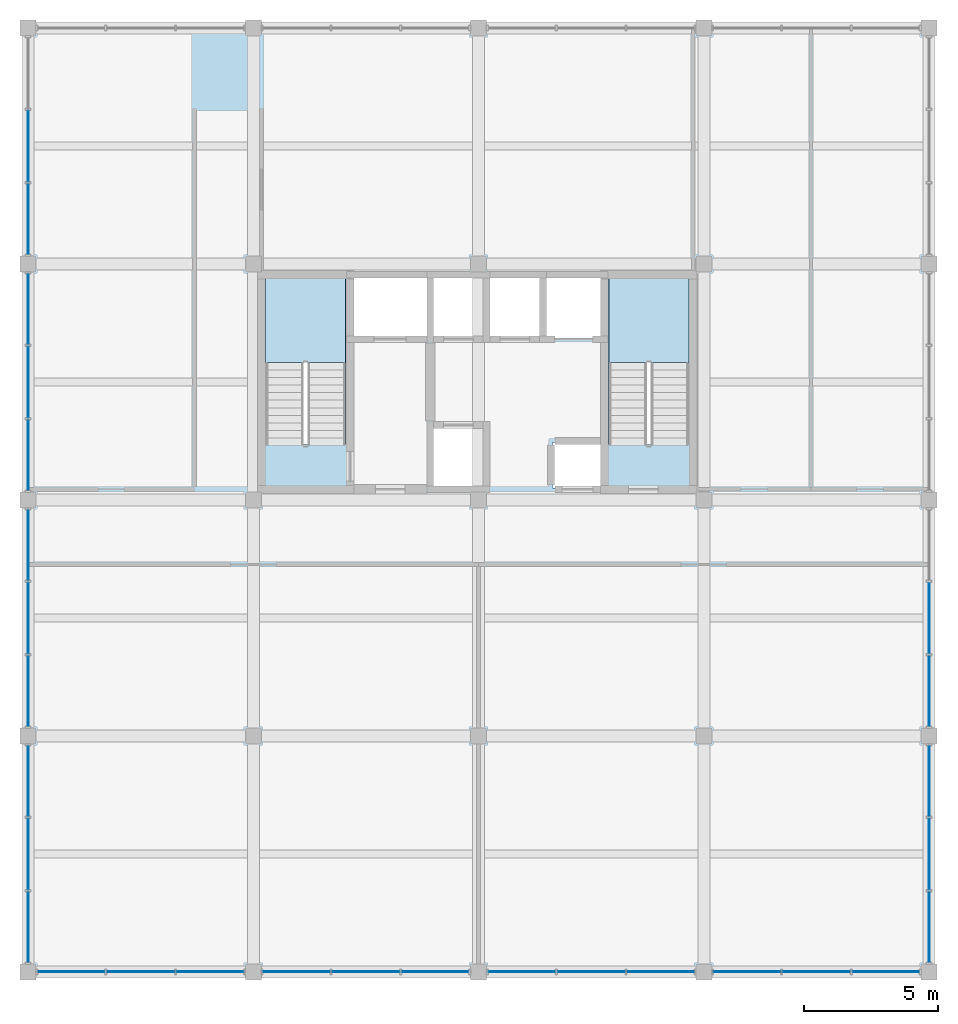
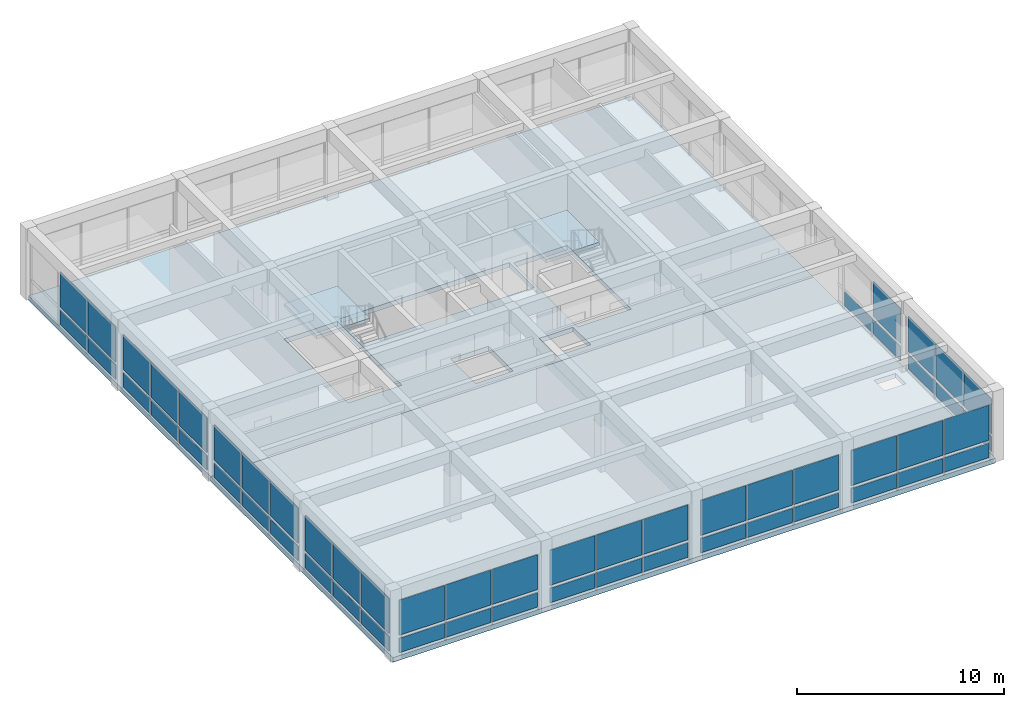
# One storey, part 8 of 14: 55 plates, 4 slabs, 12 elements without a shape of their own.
"""IFC4 building model written with IfcOpenShell, lengths in metres."""

from ifc_helpers import new_model, si_unit, direction, frame, origin, origin_2d, place, context, subcontext, project, spatial, polyline, rectangle, outline, extrude, material, layer, layer_set, type_object, element, aggregate, save


model = new_model("IFC4")

# Units and contexts
model_context = context("Model", 3, precision=1e-05, world=origin(), true_north=direction((0.0, 1.0)))
body_context = subcontext(model_context, "Body", "Model", "MODEL_VIEW")
ifc_project = project(units=[si_unit("LENGTHUNIT", "METRE"), si_unit("AREAUNIT", "SQUARE_METRE"), si_unit("VOLUMEUNIT", "CUBIC_METRE"), si_unit("PLANEANGLEUNIT", "RADIAN"), si_unit("MASSUNIT", "GRAM", prefix="KILO")], contexts=[model_context])

# Site, building, storey
site_placement = place(None, origin())
site = spatial("IfcSite", under=ifc_project, at=site_placement, CompositionType="ELEMENT")
building_placement = place(site_placement, origin())
building = spatial("IfcBuilding", under=site, at=building_placement, Name="Kemercrest Conservatory and Botanical Centre", CompositionType="ELEMENT")
storey_placement = place(building_placement, frame((0.0, 0.0, 63.800048828125)))
storey = spatial("IfcBuildingStorey", under=building, at=storey_placement, Name="L16", CompositionType="ELEMENT", Elevation=63.800048828125)

# Curtain wall, plates
ifc_material_1 = material(Name="Thermally broken aluminium and triple low-e glazing", Category="aluminium")
curtain_wall_type_1 = type_object("IfcCurtainWallType", Name="CW-12", PredefinedType="USERDEFINED", material=ifc_material_1)
curtain_wall_1_placement = place(storey_placement, origin())
curtain_wall_1 = element("IfcCurtainWall", 1, at=curtain_wall_1_placement, inside=storey, type_object=curtain_wall_type_1, Name="Unitised curtain wall CW-12 (CW:L16:V4-161)", ObjectType="UNITISED CURTAIN WALL", PredefinedType="USERDEFINED")
ifc_material_2 = material(Name="Triple low-e argon insulated glazing unit", Category="glass")
ifc_layer_1 = layer(ifc_material_2, 0.035888671875)
ifc_layer_set_1 = layer_set([ifc_layer_1], Name="Triple low-e argon insulated glazing unit")
plate_type = type_object("IfcPlateType", Name="CW-PNL036", PredefinedType="CURTAIN_PANEL", material=ifc_layer_set_1)
plate_1_placement = place(storey_placement, frame((144.012939453125, 87.199951171875, 0.179931640625), z_axis=(0.0, 0.0, 1.0), x_axis=(1.0, 0.0, 0.0)))
plate_1 = element("IfcPlate", 2, at=plate_1_placement, type_object=plate_type, Name="CW-12 panel 1.1", PredefinedType="CURTAIN_PANEL", context=body_context, shape_type="SweptSolid", body=[
    extrude(rectangle(XDim=2.505859375, YDim=0.035888671875, at=origin_2d()), origin(), (0.0, 0.0, 1.0), 0.85009765625),
])
plate_2_placement = place(storey_placement, frame((144.012939453125, 87.199951171875, 1.2099609375), z_axis=(0.0, 0.0, 1.0), x_axis=(1.0, 0.0, 0.0)))
plate_2 = element("IfcPlate", 3, at=plate_2_placement, type_object=plate_type, Name="CW-12 panel 1.2", PredefinedType="CURTAIN_PANEL", context=body_context, shape_type="SweptSolid", body=[
    extrude(rectangle(XDim=2.505859375, YDim=0.035888671875, at=origin_2d()), origin(), (0.0, 0.0, 1.0), 2.06494140625),
])
plate_3_placement = place(storey_placement, frame((146.60009765625, 87.199951171875, 0.179931640625), z_axis=(0.0, 0.0, 1.0), x_axis=(1.0, 0.0, 0.0)))
plate_3 = element("IfcPlate", 4, at=plate_3_placement, type_object=plate_type, Name="CW-12 panel 2.1", PredefinedType="CURTAIN_PANEL", context=body_context, shape_type="SweptSolid", body=[
    extrude(rectangle(XDim=2.538330078125, YDim=0.035888671875, at=origin_2d()), origin(), (0.0, 0.0, 1.0), 0.85009765625),
])
plate_4_placement = place(storey_placement, frame((146.60009765625, 87.199951171875, 1.2099609375), z_axis=(0.0, 0.0, 1.0), x_axis=(1.0, 0.0, 0.0)))
plate_4 = element("IfcPlate", 5, at=plate_4_placement, type_object=plate_type, Name="CW-12 panel 2.2", PredefinedType="CURTAIN_PANEL", context=body_context, shape_type="SweptSolid", body=[
    extrude(rectangle(XDim=2.538330078125, YDim=0.035888671875, at=origin_2d()), origin(), (0.0, 0.0, 1.0), 2.06494140625),
])
plate_5_placement = place(storey_placement, frame((149.18701171875, 87.199951171875, 0.179931640625), z_axis=(0.0, 0.0, 1.0), x_axis=(1.0, 0.0, 0.0)))
plate_5 = element("IfcPlate", 6, at=plate_5_placement, type_object=plate_type, Name="CW-12 panel 3.1", PredefinedType="CURTAIN_PANEL", context=body_context, shape_type="SweptSolid", body=[
    extrude(rectangle(XDim=2.505859375, YDim=0.035888671875, at=origin_2d()), origin(), (0.0, 0.0, 1.0), 0.85009765625),
])
plate_6_placement = place(storey_placement, frame((149.18701171875, 87.199951171875, 1.2099609375), z_axis=(0.0, 0.0, 1.0), x_axis=(1.0, 0.0, 0.0)))
plate_6 = element("IfcPlate", 7, at=plate_6_placement, type_object=plate_type, Name="CW-12 panel 3.2", PredefinedType="CURTAIN_PANEL", context=body_context, shape_type="SweptSolid", body=[
    extrude(rectangle(XDim=2.505859375, YDim=0.035888671875, at=origin_2d()), origin(), (0.0, 0.0, 1.0), 2.06494140625),
])
aggregate(curtain_wall_1, [plate_1, plate_2, plate_3, plate_4, plate_5, plate_6])

curtain_wall_type_2 = type_object("IfcCurtainWallType", Name="CW-13", PredefinedType="USERDEFINED", material=ifc_material_1)
curtain_wall_2_placement = place(storey_placement, origin())
curtain_wall_2 = element("IfcCurtainWall", 8, at=curtain_wall_2_placement, inside=storey, type_object=curtain_wall_type_2, Name="Unitised curtain wall CW-13 (CW:L16:V4-162)", ObjectType="UNITISED CURTAIN WALL", PredefinedType="USERDEFINED")
plate_7_placement = place(storey_placement, frame((152.412841796875, 87.199951171875, 0.179931640625), z_axis=(0.0, 0.0, 1.0), x_axis=(1.0, 0.0, 0.0)))
plate_7 = element("IfcPlate", 9, at=plate_7_placement, type_object=plate_type, Name="CW-13 panel 1.1", PredefinedType="CURTAIN_PANEL", context=body_context, shape_type="SweptSolid", body=[
    extrude(rectangle(XDim=2.505859375, YDim=0.035888671875, at=origin_2d()), origin(), (0.0, 0.0, 1.0), 0.85009765625),
])
plate_8_placement = place(storey_placement, frame((152.412841796875, 87.199951171875, 1.2099609375), z_axis=(0.0, 0.0, 1.0), x_axis=(1.0, 0.0, 0.0)))
plate_8 = element("IfcPlate", 10, at=plate_8_placement, type_object=plate_type, Name="CW-13 panel 1.2", PredefinedType="CURTAIN_PANEL", context=body_context, shape_type="SweptSolid", body=[
    extrude(rectangle(XDim=2.505859375, YDim=0.035888671875, at=origin_2d()), origin(), (0.0, 0.0, 1.0), 2.06494140625),
])
plate_9_placement = place(storey_placement, frame((155.0, 87.199951171875, 0.179931640625), z_axis=(0.0, 0.0, 1.0), x_axis=(1.0, 0.0, 0.0)))
plate_9 = element("IfcPlate", 11, at=plate_9_placement, type_object=plate_type, Name="CW-13 panel 2.1", PredefinedType="CURTAIN_PANEL", context=body_context, shape_type="SweptSolid", body=[
    extrude(rectangle(XDim=2.538330078125, YDim=0.035888671875, at=origin_2d()), origin(), (0.0, 0.0, 1.0), 0.85009765625),
])
plate_10_placement = place(storey_placement, frame((155.0, 87.199951171875, 1.2099609375), z_axis=(0.0, 0.0, 1.0), x_axis=(1.0, 0.0, 0.0)))
plate_10 = element("IfcPlate", 12, at=plate_10_placement, type_object=plate_type, Name="CW-13 panel 2.2", PredefinedType="CURTAIN_PANEL", context=body_context, shape_type="SweptSolid", body=[
    extrude(rectangle(XDim=2.538330078125, YDim=0.035888671875, at=origin_2d()), origin(), (0.0, 0.0, 1.0), 2.06494140625),
])
plate_11_placement = place(storey_placement, frame((157.587158203125, 87.199951171875, 0.179931640625), z_axis=(0.0, 0.0, 1.0), x_axis=(1.0, 0.0, 0.0)))
plate_11 = element("IfcPlate", 13, at=plate_11_placement, type_object=plate_type, Name="CW-13 panel 3.1", PredefinedType="CURTAIN_PANEL", context=body_context, shape_type="SweptSolid", body=[
    extrude(rectangle(XDim=2.505859375, YDim=0.035888671875, at=origin_2d()), origin(), (0.0, 0.0, 1.0), 0.85009765625),
])
plate_12_placement = place(storey_placement, frame((157.587158203125, 87.199951171875, 1.2099609375), z_axis=(0.0, 0.0, 1.0), x_axis=(1.0, 0.0, 0.0)))
plate_12 = element("IfcPlate", 14, at=plate_12_placement, type_object=plate_type, Name="CW-13 panel 3.2", PredefinedType="CURTAIN_PANEL", context=body_context, shape_type="SweptSolid", body=[
    extrude(rectangle(XDim=2.505859375, YDim=0.035888671875, at=origin_2d()), origin(), (0.0, 0.0, 1.0), 2.06494140625),
])
aggregate(curtain_wall_2, [plate_7, plate_8, plate_9, plate_10, plate_11, plate_12])

curtain_wall_type_3 = type_object("IfcCurtainWallType", Name="CW-14", PredefinedType="USERDEFINED", material=ifc_material_1)
curtain_wall_3_placement = place(storey_placement, origin())
curtain_wall_3 = element("IfcCurtainWall", 15, at=curtain_wall_3_placement, inside=storey, type_object=curtain_wall_type_3, Name="Unitised curtain wall CW-14 (CW:L16:V4-163)", ObjectType="UNITISED CURTAIN WALL", PredefinedType="USERDEFINED")
plate_13_placement = place(storey_placement, frame((160.81298828125, 87.199951171875, 0.179931640625), z_axis=(0.0, 0.0, 1.0), x_axis=(1.0, 0.0, 0.0)))
plate_13 = element("IfcPlate", 16, at=plate_13_placement, type_object=plate_type, Name="CW-14 panel 1.1", PredefinedType="CURTAIN_PANEL", context=body_context, shape_type="SweptSolid", body=[
    extrude(rectangle(XDim=2.505859375, YDim=0.035888671875, at=origin_2d()), origin(), (0.0, 0.0, 1.0), 0.85009765625),
])
plate_14_placement = place(storey_placement, frame((160.81298828125, 87.199951171875, 1.2099609375), z_axis=(0.0, 0.0, 1.0), x_axis=(1.0, 0.0, 0.0)))
plate_14 = element("IfcPlate", 17, at=plate_14_placement, type_object=plate_type, Name="CW-14 panel 1.2", PredefinedType="CURTAIN_PANEL", context=body_context, shape_type="SweptSolid", body=[
    extrude(rectangle(XDim=2.505859375, YDim=0.035888671875, at=origin_2d()), origin(), (0.0, 0.0, 1.0), 2.06494140625),
])
plate_15_placement = place(storey_placement, frame((163.39990234375, 87.199951171875, 0.179931640625), z_axis=(0.0, 0.0, 1.0), x_axis=(1.0, 0.0, 0.0)))
plate_15 = element("IfcPlate", 18, at=plate_15_placement, type_object=plate_type, Name="CW-14 panel 2.1", PredefinedType="CURTAIN_PANEL", context=body_context, shape_type="SweptSolid", body=[
    extrude(rectangle(XDim=2.538330078125, YDim=0.035888671875, at=origin_2d()), origin(), (0.0, 0.0, 1.0), 0.85009765625),
])
plate_16_placement = place(storey_placement, frame((163.39990234375, 87.199951171875, 1.2099609375), z_axis=(0.0, 0.0, 1.0), x_axis=(1.0, 0.0, 0.0)))
plate_16 = element("IfcPlate", 19, at=plate_16_placement, type_object=plate_type, Name="CW-14 panel 2.2", PredefinedType="CURTAIN_PANEL", context=body_context, shape_type="SweptSolid", body=[
    extrude(rectangle(XDim=2.538330078125, YDim=0.035888671875, at=origin_2d()), origin(), (0.0, 0.0, 1.0), 2.06494140625),
])
plate_17_placement = place(storey_placement, frame((165.987060546875, 87.199951171875, 0.179931640625), z_axis=(0.0, 0.0, 1.0), x_axis=(1.0, 0.0, 0.0)))
plate_17 = element("IfcPlate", 20, at=plate_17_placement, type_object=plate_type, Name="CW-14 panel 3.1", PredefinedType="CURTAIN_PANEL", context=body_context, shape_type="SweptSolid", body=[
    extrude(rectangle(XDim=2.505859375, YDim=0.035888671875, at=origin_2d()), origin(), (0.0, 0.0, 1.0), 0.85009765625),
])
plate_18_placement = place(storey_placement, frame((165.987060546875, 87.199951171875, 1.2099609375), z_axis=(0.0, 0.0, 1.0), x_axis=(1.0, 0.0, 0.0)))
plate_18 = element("IfcPlate", 21, at=plate_18_placement, type_object=plate_type, Name="CW-14 panel 3.2", PredefinedType="CURTAIN_PANEL", context=body_context, shape_type="SweptSolid", body=[
    extrude(rectangle(XDim=2.505859375, YDim=0.035888671875, at=origin_2d()), origin(), (0.0, 0.0, 1.0), 2.06494140625),
])
aggregate(curtain_wall_3, [plate_13, plate_14, plate_15, plate_16, plate_17, plate_18])

curtain_wall_type_4 = type_object("IfcCurtainWallType", Name="CW-15", PredefinedType="USERDEFINED", material=ifc_material_1)
curtain_wall_4_placement = place(storey_placement, origin())
curtain_wall_4 = element("IfcCurtainWall", 22, at=curtain_wall_4_placement, inside=storey, type_object=curtain_wall_type_4, Name="Unitised curtain wall CW-15 (CW:L16:V4-164)", ObjectType="UNITISED CURTAIN WALL", PredefinedType="USERDEFINED")
plate_19_placement = place(storey_placement, frame((169.212890625, 87.199951171875, 0.179931640625), z_axis=(0.0, 0.0, 1.0), x_axis=(1.0, 0.0, 0.0)))
plate_19 = element("IfcPlate", 23, at=plate_19_placement, type_object=plate_type, Name="CW-15 panel 1.1", PredefinedType="CURTAIN_PANEL", context=body_context, shape_type="SweptSolid", body=[
    extrude(rectangle(XDim=2.505859375, YDim=0.035888671875, at=origin_2d()), origin(), (0.0, 0.0, 1.0), 0.85009765625),
])
plate_20_placement = place(storey_placement, frame((169.212890625, 87.199951171875, 1.2099609375), z_axis=(0.0, 0.0, 1.0), x_axis=(1.0, 0.0, 0.0)))
plate_20 = element("IfcPlate", 24, at=plate_20_placement, type_object=plate_type, Name="CW-15 panel 1.2", PredefinedType="CURTAIN_PANEL", context=body_context, shape_type="SweptSolid", body=[
    extrude(rectangle(XDim=2.505859375, YDim=0.035888671875, at=origin_2d()), origin(), (0.0, 0.0, 1.0), 2.06494140625),
])
plate_21_placement = place(storey_placement, frame((171.800048828125, 87.199951171875, 0.179931640625), z_axis=(0.0, 0.0, 1.0), x_axis=(1.0, 0.0, 0.0)))
plate_21 = element("IfcPlate", 25, at=plate_21_placement, type_object=plate_type, Name="CW-15 panel 2.1", PredefinedType="CURTAIN_PANEL", context=body_context, shape_type="SweptSolid", body=[
    extrude(rectangle(XDim=2.538330078125, YDim=0.035888671875, at=origin_2d()), origin(), (0.0, 0.0, 1.0), 0.85009765625),
])
plate_22_placement = place(storey_placement, frame((171.800048828125, 87.199951171875, 1.2099609375), z_axis=(0.0, 0.0, 1.0), x_axis=(1.0, 0.0, 0.0)))
plate_22 = element("IfcPlate", 26, at=plate_22_placement, type_object=plate_type, Name="CW-15 panel 2.2", PredefinedType="CURTAIN_PANEL", context=body_context, shape_type="SweptSolid", body=[
    extrude(rectangle(XDim=2.538330078125, YDim=0.035888671875, at=origin_2d()), origin(), (0.0, 0.0, 1.0), 2.06494140625),
])
plate_23_placement = place(storey_placement, frame((174.386962890625, 87.199951171875, 0.179931640625), z_axis=(0.0, 0.0, 1.0), x_axis=(1.0, 0.0, 0.0)))
plate_23 = element("IfcPlate", 27, at=plate_23_placement, type_object=plate_type, Name="CW-15 panel 3.1", PredefinedType="CURTAIN_PANEL", context=body_context, shape_type="SweptSolid", body=[
    extrude(rectangle(XDim=2.505859375, YDim=0.035888671875, at=origin_2d()), origin(), (0.0, 0.0, 1.0), 0.85009765625),
])
plate_24_placement = place(storey_placement, frame((174.386962890625, 87.199951171875, 1.2099609375), z_axis=(0.0, 0.0, 1.0), x_axis=(1.0, 0.0, 0.0)))
plate_24 = element("IfcPlate", 28, at=plate_24_placement, type_object=plate_type, Name="CW-15 panel 3.2", PredefinedType="CURTAIN_PANEL", context=body_context, shape_type="SweptSolid", body=[
    extrude(rectangle(XDim=2.505859375, YDim=0.035888671875, at=origin_2d()), origin(), (0.0, 0.0, 1.0), 2.06494140625),
])
aggregate(curtain_wall_4, [plate_19, plate_20, plate_21, plate_22, plate_23, plate_24])

curtain_wall_type_5 = type_object("IfcCurtainWallType", Name="CW-16", PredefinedType="USERDEFINED", material=ifc_material_1)
curtain_wall_5_placement = place(storey_placement, origin())
curtain_wall_5 = element("IfcCurtainWall", 29, at=curtain_wall_5_placement, inside=storey, type_object=curtain_wall_type_5, Name="Unitised curtain wall CW-16 (CW:L16:V4-165)", ObjectType="UNITISED CURTAIN WALL", PredefinedType="USERDEFINED")
plate_25_placement = place(storey_placement, frame((176.0, 88.879638671875, 0.179931640625), z_axis=(0.0, 0.0, 1.0), x_axis=(0.0, 1.0, 0.0)))
plate_25 = element("IfcPlate", 30, at=plate_25_placement, type_object=plate_type, Name="CW-16 panel 1.1", PredefinedType="CURTAIN_PANEL", context=body_context, shape_type="SweptSolid", body=[
    extrude(rectangle(XDim=2.63916015625, YDim=0.035888671875, at=origin_2d()), origin(), (0.0, 0.0, 1.0), 0.85009765625),
])
plate_26_placement = place(storey_placement, frame((176.0, 88.879638671875, 1.2099609375), z_axis=(0.0, 0.0, 1.0), x_axis=(0.0, 1.0, 0.0)))
plate_26 = element("IfcPlate", 31, at=plate_26_placement, type_object=plate_type, Name="CW-16 panel 1.2", PredefinedType="CURTAIN_PANEL", context=body_context, shape_type="SweptSolid", body=[
    extrude(rectangle(XDim=2.63916015625, YDim=0.035888671875, at=origin_2d()), origin(), (0.0, 0.0, 1.0), 2.06494140625),
])
plate_27_placement = place(storey_placement, frame((176.0, 91.60009765625, 0.179931640625), z_axis=(0.0, 0.0, 1.0), x_axis=(0.0, 1.0, 0.0)))
plate_27 = element("IfcPlate", 32, at=plate_27_placement, type_object=plate_type, Name="CW-16 panel 2.1", PredefinedType="CURTAIN_PANEL", context=body_context, shape_type="SweptSolid", body=[
    extrude(rectangle(XDim=2.671630859375, YDim=0.035888671875, at=origin_2d()), origin(), (0.0, 0.0, 1.0), 0.85009765625),
])
plate_28_placement = place(storey_placement, frame((176.0, 91.60009765625, 1.2099609375), z_axis=(0.0, 0.0, 1.0), x_axis=(0.0, 1.0, 0.0)))
plate_28 = element("IfcPlate", 33, at=plate_28_placement, type_object=plate_type, Name="CW-16 panel 2.2", PredefinedType="CURTAIN_PANEL", context=body_context, shape_type="SweptSolid", body=[
    extrude(rectangle(XDim=2.671630859375, YDim=0.035888671875, at=origin_2d()), origin(), (0.0, 0.0, 1.0), 2.06494140625),
])
plate_29_placement = place(storey_placement, frame((176.0, 94.3203125, 0.179931640625), z_axis=(0.0, 0.0, 1.0), x_axis=(0.0, 1.0, 0.0)))
plate_29 = element("IfcPlate", 34, at=plate_29_placement, type_object=plate_type, Name="CW-16 panel 3.1", PredefinedType="CURTAIN_PANEL", context=body_context, shape_type="SweptSolid", body=[
    extrude(rectangle(XDim=2.63916015625, YDim=0.035888671875, at=origin_2d()), origin(), (0.0, 0.0, 1.0), 0.85009765625),
])
plate_30_placement = place(storey_placement, frame((176.0, 94.3203125, 1.2099609375), z_axis=(0.0, 0.0, 1.0), x_axis=(0.0, 1.0, 0.0)))
plate_30 = element("IfcPlate", 35, at=plate_30_placement, type_object=plate_type, Name="CW-16 panel 3.2", PredefinedType="CURTAIN_PANEL", context=body_context, shape_type="SweptSolid", body=[
    extrude(rectangle(XDim=2.63916015625, YDim=0.035888671875, at=origin_2d()), origin(), (0.0, 0.0, 1.0), 2.06494140625),
])
aggregate(curtain_wall_5, [plate_25, plate_26, plate_27, plate_28, plate_29, plate_30])

curtain_wall_type_6 = type_object("IfcCurtainWallType", Name="CW-17", PredefinedType="USERDEFINED", material=ifc_material_1)
curtain_wall_6_placement = place(storey_placement, origin())
curtain_wall_6 = element("IfcCurtainWall", 36, at=curtain_wall_6_placement, inside=storey, type_object=curtain_wall_type_6, Name="Unitised curtain wall CW-17 (CW:L16:V4-166)", ObjectType="UNITISED CURTAIN WALL", PredefinedType="USERDEFINED")
plate_31_placement = place(storey_placement, frame((176.0, 97.6796875, 0.179931640625), z_axis=(0.0, 0.0, 1.0), x_axis=(0.0, 1.0, 0.0)))
plate_31 = element("IfcPlate", 37, at=plate_31_placement, type_object=plate_type, Name="CW-17 panel 1.1", PredefinedType="CURTAIN_PANEL", context=body_context, shape_type="SweptSolid", body=[
    extrude(rectangle(XDim=2.63916015625, YDim=0.035888671875, at=origin_2d()), origin(), (0.0, 0.0, 1.0), 0.85009765625),
])
plate_32_placement = place(storey_placement, frame((176.0, 97.6796875, 1.2099609375), z_axis=(0.0, 0.0, 1.0), x_axis=(0.0, 1.0, 0.0)))
plate_32 = element("IfcPlate", 38, at=plate_32_placement, type_object=plate_type, Name="CW-17 panel 1.2", PredefinedType="CURTAIN_PANEL", context=body_context, shape_type="SweptSolid", body=[
    extrude(rectangle(XDim=2.63916015625, YDim=0.035888671875, at=origin_2d()), origin(), (0.0, 0.0, 1.0), 2.06494140625),
])
plate_33_placement = place(storey_placement, frame((176.0, 100.39990234375, 0.179931640625), z_axis=(0.0, 0.0, 1.0), x_axis=(0.0, 1.0, 0.0)))
plate_33 = element("IfcPlate", 39, at=plate_33_placement, type_object=plate_type, Name="CW-17 panel 2.1", PredefinedType="CURTAIN_PANEL", context=body_context, shape_type="SweptSolid", body=[
    extrude(rectangle(XDim=2.671630859375, YDim=0.035888671875, at=origin_2d()), origin(), (0.0, 0.0, 1.0), 0.85009765625),
])
aggregate(curtain_wall_6, [plate_31, plate_32, plate_33])

curtain_wall_type_7 = type_object("IfcCurtainWallType", Name="CW-24", PredefinedType="USERDEFINED", material=ifc_material_1)
curtain_wall_7_placement = place(storey_placement, origin())
curtain_wall_7 = element("IfcCurtainWall", 40, at=curtain_wall_7_placement, inside=storey, type_object=curtain_wall_type_7, Name="Unitised curtain wall CW-24 (CW:L16:V4-173)", ObjectType="UNITISED CURTAIN WALL", PredefinedType="USERDEFINED")
plate_34_placement = place(storey_placement, frame((142.39990234375, 118.0, 0.179931640625), z_axis=(0.0, 0.0, 1.0), x_axis=(0.0, -1.0, 0.0)))
plate_34 = element("IfcPlate", 41, at=plate_34_placement, type_object=plate_type, Name="CW-24 panel 2.1", PredefinedType="CURTAIN_PANEL", context=body_context, shape_type="SweptSolid", body=[
    extrude(rectangle(XDim=2.671630859375, YDim=0.035888671875, at=origin_2d()), origin(), (0.0, 0.0, 1.0), 0.85009765625),
])
plate_35_placement = place(storey_placement, frame((142.39990234375, 118.0, 1.2099609375), z_axis=(0.0, 0.0, 1.0), x_axis=(0.0, -1.0, 0.0)))
plate_35 = element("IfcPlate", 42, at=plate_35_placement, type_object=plate_type, Name="CW-24 panel 2.2", PredefinedType="CURTAIN_PANEL", context=body_context, shape_type="SweptSolid", body=[
    extrude(rectangle(XDim=2.671630859375, YDim=0.035888671875, at=origin_2d()), origin(), (0.0, 0.0, 1.0), 2.06494140625),
])
plate_36_placement = place(storey_placement, frame((142.39990234375, 115.279541015625, 0.179931640625), z_axis=(0.0, 0.0, 1.0), x_axis=(0.0, -1.0, 0.0)))
plate_36 = element("IfcPlate", 43, at=plate_36_placement, type_object=plate_type, Name="CW-24 panel 3.1", PredefinedType="CURTAIN_PANEL", context=body_context, shape_type="SweptSolid", body=[
    extrude(rectangle(XDim=2.63916015625, YDim=0.035888671875, at=origin_2d()), origin(), (0.0, 0.0, 1.0), 0.85009765625),
])
plate_37_placement = place(storey_placement, frame((142.39990234375, 115.279541015625, 1.2099609375), z_axis=(0.0, 0.0, 1.0), x_axis=(0.0, -1.0, 0.0)))
plate_37 = element("IfcPlate", 44, at=plate_37_placement, type_object=plate_type, Name="CW-24 panel 3.2", PredefinedType="CURTAIN_PANEL", context=body_context, shape_type="SweptSolid", body=[
    extrude(rectangle(XDim=2.63916015625, YDim=0.035888671875, at=origin_2d()), origin(), (0.0, 0.0, 1.0), 2.06494140625),
])
aggregate(curtain_wall_7, [plate_34, plate_35, plate_36, plate_37])

curtain_wall_type_8 = type_object("IfcCurtainWallType", Name="CW-25", PredefinedType="USERDEFINED", material=ifc_material_1)
curtain_wall_8_placement = place(storey_placement, origin())
curtain_wall_8 = element("IfcCurtainWall", 45, at=curtain_wall_8_placement, inside=storey, type_object=curtain_wall_type_8, Name="Unitised curtain wall CW-25 (CW:L16:V4-174)", ObjectType="UNITISED CURTAIN WALL", PredefinedType="USERDEFINED")
plate_38_placement = place(storey_placement, frame((142.39990234375, 111.92041015625, 0.179931640625), z_axis=(0.0, 0.0, 1.0), x_axis=(0.0, -1.0, 0.0)))
plate_38 = element("IfcPlate", 46, at=plate_38_placement, type_object=plate_type, Name="CW-25 panel 1.1", PredefinedType="CURTAIN_PANEL", context=body_context, shape_type="SweptSolid", body=[
    extrude(rectangle(XDim=2.63916015625, YDim=0.035888671875, at=origin_2d()), origin(), (0.0, 0.0, 1.0), 0.85009765625),
])
plate_39_placement = place(storey_placement, frame((142.39990234375, 111.92041015625, 1.2099609375), z_axis=(0.0, 0.0, 1.0), x_axis=(0.0, -1.0, 0.0)))
plate_39 = element("IfcPlate", 47, at=plate_39_placement, type_object=plate_type, Name="CW-25 panel 1.2", PredefinedType="CURTAIN_PANEL", context=body_context, shape_type="SweptSolid", body=[
    extrude(rectangle(XDim=2.63916015625, YDim=0.035888671875, at=origin_2d()), origin(), (0.0, 0.0, 1.0), 2.06494140625),
])
plate_40_placement = place(storey_placement, frame((142.39990234375, 109.199951171875, 0.179931640625), z_axis=(0.0, 0.0, 1.0), x_axis=(0.0, -1.0, 0.0)))
plate_40 = element("IfcPlate", 48, at=plate_40_placement, type_object=plate_type, Name="CW-25 panel 2.1", PredefinedType="CURTAIN_PANEL", context=body_context, shape_type="SweptSolid", body=[
    extrude(rectangle(XDim=2.671630859375, YDim=0.035888671875, at=origin_2d()), origin(), (0.0, 0.0, 1.0), 0.85009765625),
])
plate_41_placement = place(storey_placement, frame((142.39990234375, 109.199951171875, 1.2099609375), z_axis=(0.0, 0.0, 1.0), x_axis=(0.0, -1.0, 0.0)))
plate_41 = element("IfcPlate", 49, at=plate_41_placement, type_object=plate_type, Name="CW-25 panel 2.2", PredefinedType="CURTAIN_PANEL", context=body_context, shape_type="SweptSolid", body=[
    extrude(rectangle(XDim=2.671630859375, YDim=0.035888671875, at=origin_2d()), origin(), (0.0, 0.0, 1.0), 2.06494140625),
])
plate_42_placement = place(storey_placement, frame((142.39990234375, 106.4794921875, 0.179931640625), z_axis=(0.0, 0.0, 1.0), x_axis=(0.0, -1.0, 0.0)))
plate_42 = element("IfcPlate", 50, at=plate_42_placement, type_object=plate_type, Name="CW-25 panel 3.1", PredefinedType="CURTAIN_PANEL", context=body_context, shape_type="SweptSolid", body=[
    extrude(rectangle(XDim=2.63916015625, YDim=0.035888671875, at=origin_2d()), origin(), (0.0, 0.0, 1.0), 0.85009765625),
])
plate_43_placement = place(storey_placement, frame((142.39990234375, 106.4794921875, 1.2099609375), z_axis=(0.0, 0.0, 1.0), x_axis=(0.0, -1.0, 0.0)))
plate_43 = element("IfcPlate", 51, at=plate_43_placement, type_object=plate_type, Name="CW-25 panel 3.2", PredefinedType="CURTAIN_PANEL", context=body_context, shape_type="SweptSolid", body=[
    extrude(rectangle(XDim=2.63916015625, YDim=0.035888671875, at=origin_2d()), origin(), (0.0, 0.0, 1.0), 2.06494140625),
])
aggregate(curtain_wall_8, [plate_38, plate_39, plate_40, plate_41, plate_42, plate_43])

curtain_wall_type_9 = type_object("IfcCurtainWallType", Name="CW-26", PredefinedType="USERDEFINED", material=ifc_material_1)
curtain_wall_9_placement = place(storey_placement, origin())
curtain_wall_9 = element("IfcCurtainWall", 52, at=curtain_wall_9_placement, inside=storey, type_object=curtain_wall_type_9, Name="Unitised curtain wall CW-26 (CW:L16:V4-175)", ObjectType="UNITISED CURTAIN WALL", PredefinedType="USERDEFINED")
plate_44_placement = place(storey_placement, frame((142.39990234375, 103.120361328125, 0.179931640625), z_axis=(0.0, 0.0, 1.0), x_axis=(0.0, -1.0, 0.0)))
plate_44 = element("IfcPlate", 53, at=plate_44_placement, type_object=plate_type, Name="CW-26 panel 1.1", PredefinedType="CURTAIN_PANEL", context=body_context, shape_type="SweptSolid", body=[
    extrude(rectangle(XDim=2.63916015625, YDim=0.035888671875, at=origin_2d()), origin(), (0.0, 0.0, 1.0), 0.85009765625),
])
plate_45_placement = place(storey_placement, frame((142.39990234375, 103.120361328125, 1.2099609375), z_axis=(0.0, 0.0, 1.0), x_axis=(0.0, -1.0, 0.0)))
plate_45 = element("IfcPlate", 54, at=plate_45_placement, type_object=plate_type, Name="CW-26 panel 1.2", PredefinedType="CURTAIN_PANEL", context=body_context, shape_type="SweptSolid", body=[
    extrude(rectangle(XDim=2.63916015625, YDim=0.035888671875, at=origin_2d()), origin(), (0.0, 0.0, 1.0), 2.06494140625),
])
plate_46_placement = place(storey_placement, frame((142.39990234375, 100.39990234375, 0.179931640625), z_axis=(0.0, 0.0, 1.0), x_axis=(0.0, -1.0, 0.0)))
plate_46 = element("IfcPlate", 55, at=plate_46_placement, type_object=plate_type, Name="CW-26 panel 2.1", PredefinedType="CURTAIN_PANEL", context=body_context, shape_type="SweptSolid", body=[
    extrude(rectangle(XDim=2.671630859375, YDim=0.035888671875, at=origin_2d()), origin(), (0.0, 0.0, 1.0), 0.85009765625),
])
plate_47_placement = place(storey_placement, frame((142.39990234375, 100.39990234375, 1.2099609375), z_axis=(0.0, 0.0, 1.0), x_axis=(0.0, -1.0, 0.0)))
plate_47 = element("IfcPlate", 56, at=plate_47_placement, type_object=plate_type, Name="CW-26 panel 2.2", PredefinedType="CURTAIN_PANEL", context=body_context, shape_type="SweptSolid", body=[
    extrude(rectangle(XDim=2.671630859375, YDim=0.035888671875, at=origin_2d()), origin(), (0.0, 0.0, 1.0), 2.06494140625),
])
plate_48_placement = place(storey_placement, frame((142.39990234375, 97.6796875, 0.179931640625), z_axis=(0.0, 0.0, 1.0), x_axis=(0.0, -1.0, 0.0)))
plate_48 = element("IfcPlate", 57, at=plate_48_placement, type_object=plate_type, Name="CW-26 panel 3.1", PredefinedType="CURTAIN_PANEL", context=body_context, shape_type="SweptSolid", body=[
    extrude(rectangle(XDim=2.63916015625, YDim=0.035888671875, at=origin_2d()), origin(), (0.0, 0.0, 1.0), 0.85009765625),
])
plate_49_placement = place(storey_placement, frame((142.39990234375, 97.6796875, 1.2099609375), z_axis=(0.0, 0.0, 1.0), x_axis=(0.0, -1.0, 0.0)))
plate_49 = element("IfcPlate", 58, at=plate_49_placement, type_object=plate_type, Name="CW-26 panel 3.2", PredefinedType="CURTAIN_PANEL", context=body_context, shape_type="SweptSolid", body=[
    extrude(rectangle(XDim=2.63916015625, YDim=0.035888671875, at=origin_2d()), origin(), (0.0, 0.0, 1.0), 2.06494140625),
])
aggregate(curtain_wall_9, [plate_44, plate_45, plate_46, plate_47, plate_48, plate_49])

curtain_wall_type_10 = type_object("IfcCurtainWallType", Name="CW-27", PredefinedType="USERDEFINED", material=ifc_material_1)
curtain_wall_10_placement = place(storey_placement, origin())
curtain_wall_10 = element("IfcCurtainWall", 59, at=curtain_wall_10_placement, inside=storey, type_object=curtain_wall_type_10, Name="Unitised curtain wall CW-27 (CW:L16:V4-176)", ObjectType="UNITISED CURTAIN WALL", PredefinedType="USERDEFINED")
plate_50_placement = place(storey_placement, frame((142.39990234375, 94.3203125, 0.179931640625), z_axis=(0.0, 0.0, 1.0), x_axis=(0.0, -1.0, 0.0)))
plate_50 = element("IfcPlate", 60, at=plate_50_placement, type_object=plate_type, Name="CW-27 panel 1.1", PredefinedType="CURTAIN_PANEL", context=body_context, shape_type="SweptSolid", body=[
    extrude(rectangle(XDim=2.63916015625, YDim=0.035888671875, at=origin_2d()), origin(), (0.0, 0.0, 1.0), 0.85009765625),
])
plate_51_placement = place(storey_placement, frame((142.39990234375, 94.3203125, 1.2099609375), z_axis=(0.0, 0.0, 1.0), x_axis=(0.0, -1.0, 0.0)))
plate_51 = element("IfcPlate", 61, at=plate_51_placement, type_object=plate_type, Name="CW-27 panel 1.2", PredefinedType="CURTAIN_PANEL", context=body_context, shape_type="SweptSolid", body=[
    extrude(rectangle(XDim=2.63916015625, YDim=0.035888671875, at=origin_2d()), origin(), (0.0, 0.0, 1.0), 2.06494140625),
])
plate_52_placement = place(storey_placement, frame((142.39990234375, 91.60009765625, 0.179931640625), z_axis=(0.0, 0.0, 1.0), x_axis=(0.0, -1.0, 0.0)))
plate_52 = element("IfcPlate", 62, at=plate_52_placement, type_object=plate_type, Name="CW-27 panel 2.1", PredefinedType="CURTAIN_PANEL", context=body_context, shape_type="SweptSolid", body=[
    extrude(rectangle(XDim=2.671630859375, YDim=0.035888671875, at=origin_2d()), origin(), (0.0, 0.0, 1.0), 0.85009765625),
])
plate_53_placement = place(storey_placement, frame((142.39990234375, 91.60009765625, 1.2099609375), z_axis=(0.0, 0.0, 1.0), x_axis=(0.0, -1.0, 0.0)))
plate_53 = element("IfcPlate", 63, at=plate_53_placement, type_object=plate_type, Name="CW-27 panel 2.2", PredefinedType="CURTAIN_PANEL", context=body_context, shape_type="SweptSolid", body=[
    extrude(rectangle(XDim=2.671630859375, YDim=0.035888671875, at=origin_2d()), origin(), (0.0, 0.0, 1.0), 2.06494140625),
])
plate_54_placement = place(storey_placement, frame((142.39990234375, 88.879638671875, 0.179931640625), z_axis=(0.0, 0.0, 1.0), x_axis=(0.0, -1.0, 0.0)))
plate_54 = element("IfcPlate", 64, at=plate_54_placement, type_object=plate_type, Name="CW-27 panel 3.1", PredefinedType="CURTAIN_PANEL", context=body_context, shape_type="SweptSolid", body=[
    extrude(rectangle(XDim=2.63916015625, YDim=0.035888671875, at=origin_2d()), origin(), (0.0, 0.0, 1.0), 0.85009765625),
])
plate_55_placement = place(storey_placement, frame((142.39990234375, 88.879638671875, 1.2099609375), z_axis=(0.0, 0.0, 1.0), x_axis=(0.0, -1.0, 0.0)))
plate_55 = element("IfcPlate", 65, at=plate_55_placement, type_object=plate_type, Name="CW-27 panel 3.2", PredefinedType="CURTAIN_PANEL", context=body_context, shape_type="SweptSolid", body=[
    extrude(rectangle(XDim=2.63916015625, YDim=0.035888671875, at=origin_2d()), origin(), (0.0, 0.0, 1.0), 2.06494140625),
])
aggregate(curtain_wall_10, [plate_50, plate_51, plate_52, plate_53, plate_54, plate_55])

# Slabs
ifc_material_3 = material(Name="Concrete C40/50", Category="concrete")
ifc_layer_2 = layer(ifc_material_3, 0.280029296875)
ifc_layer_set_2 = layer_set([ifc_layer_2], Name="Concrete C40/50")
slab_type_1 = type_object("IfcSlabType", Name="SL-FL280", PredefinedType="FLOOR", material=ifc_layer_set_2)
slab_1_placement = place(storey_placement, frame((0.0, 0.0, -0.280029296875)))
element("IfcSlab", 66, at=slab_1_placement, inside=storey, type_object=slab_type_1, Name="V4 Tower L16 North Core and Studio Slab", PredefinedType="FLOOR", context=body_context, shape_type="SweptSolid", body=[
    extrude(outline(polyline([(142.39990234375, 122.39990234375), (142.39990234375, 104.800048828125), (176.0, 104.800048828125), (176.0, 122.39990234375), (142.39990234375, 122.39990234375)]), holes=[polyline([(164.06005859375, 106.864990234375), (164.06005859375, 113.06005859375), (167.0400390625, 113.06005859375), (167.0400390625, 106.864990234375), (164.06005859375, 106.864990234375)]), polyline([(154.39990234375, 110.800048828125), (154.39990234375, 113.199951171875), (163.89990234375, 113.199951171875), (163.89990234375, 110.800048828125), (154.39990234375, 110.800048828125)]), polyline([(161.949951171875, 105.25), (161.949951171875, 106.949951171875), (163.85009765625, 106.949951171875), (163.85009765625, 105.25), (161.949951171875, 105.25)]), polyline([(157.39990234375, 105.199951171875), (157.39990234375, 107.60009765625), (159.5, 107.60009765625), (159.5, 105.199951171875), (157.39990234375, 105.199951171875)]), polyline([(154.239990234375, 106.864990234375), (151.260009765625, 106.864990234375), (151.260009765625, 113.06005859375), (154.239990234375, 113.06005859375), (154.239990234375, 106.864990234375)])]), origin(), (0.0, 0.0, 1.0), 0.280029296875),
])
slab_2_placement = place(storey_placement, frame((0.0, 0.0, -0.280029296875)))
element("IfcSlab", 67, at=slab_2_placement, inside=storey, type_object=slab_type_1, Name="V4 Tower L16 South Laboratory Slab", PredefinedType="FLOOR", context=body_context, shape_type="SweptSolid", body=[
    extrude(outline(polyline([(142.39990234375, 104.800048828125), (142.39990234375, 87.199951171875), (176.0, 87.199951171875), (176.0, 104.800048828125), (142.39990234375, 104.800048828125)]), holes=[polyline([(175.39990234375, 94.800048828125), (174.199951171875, 94.800048828125), (174.199951171875, 95.800048828125), (175.39990234375, 95.800048828125), (175.39990234375, 94.800048828125)])]), origin(), (0.0, 0.0, 1.0), 0.280029296875),
])

# Stair, slab
stair_type = type_object("IfcStairType", Name="ST-142-42", PredefinedType="HALF_TURN_STAIR", material=ifc_material_3)
stair_1_placement = place(storey_placement, origin())
stair_1 = element("IfcStair", 68, at=stair_1_placement, inside=storey, type_object=stair_type, Name="L16 Exit stair ST-V4A", PredefinedType="HALF_TURN_STAIR")
ifc_layer_3 = layer(ifc_material_3, 0.199951171875)
ifc_layer_set_3 = layer_set([ifc_layer_3], Name="Concrete C40/50")
slab_type_2 = type_object("IfcSlabType", Name="SL-LND200", PredefinedType="LANDING", material=ifc_layer_set_3)
slab_3_placement = place(storey_placement, frame((0.0, 0.0, 1.89990234375)))
slab_3 = element("IfcSlab", 69, at=slab_3_placement, type_object=slab_type_2, Name="ST-V4A landing 1", PredefinedType="LANDING", context=body_context, shape_type="SweptSolid", body=[
    extrude(outline(polyline([(154.239990234375, 109.919921875), (154.239990234375, 113.06005859375), (151.260009765625, 113.06005859375), (151.260009765625, 109.919921875), (154.239990234375, 109.919921875)])), origin(), (0.0, 0.0, 1.0), 0.199951171875),
])
aggregate(stair_1, [slab_3])

stair_2_placement = place(storey_placement, origin())
stair_2 = element("IfcStair", 70, at=stair_2_placement, inside=storey, type_object=stair_type, Name="L16 Exit stair ST-V4B", PredefinedType="HALF_TURN_STAIR")
slab_4_placement = place(storey_placement, frame((0.0, 0.0, 1.89990234375)))
slab_4 = element("IfcSlab", 71, at=slab_4_placement, type_object=slab_type_2, Name="ST-V4B landing 1", PredefinedType="LANDING", context=body_context, shape_type="SweptSolid", body=[
    extrude(outline(polyline([(167.0400390625, 109.919921875), (167.0400390625, 113.06005859375), (164.06005859375, 113.06005859375), (164.06005859375, 109.919921875), (167.0400390625, 109.919921875)])), origin(), (0.0, 0.0, 1.0), 0.199951171875),
])
aggregate(stair_2, [slab_4])

save(model, "model.ifc")
